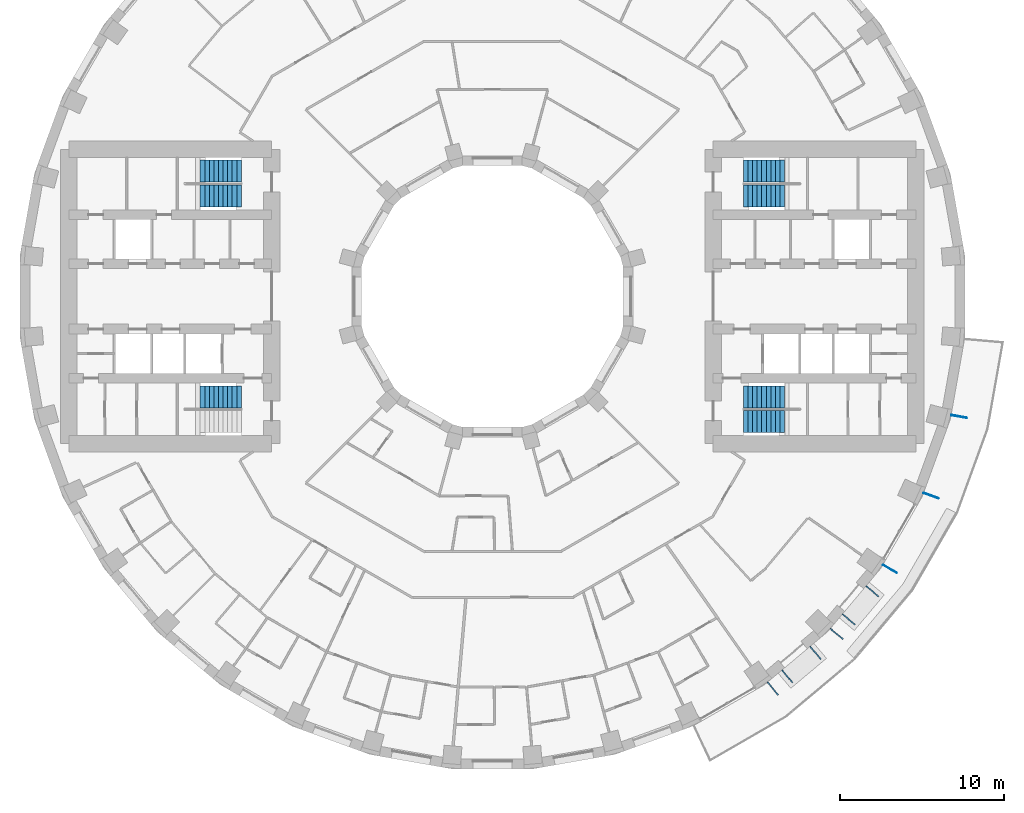
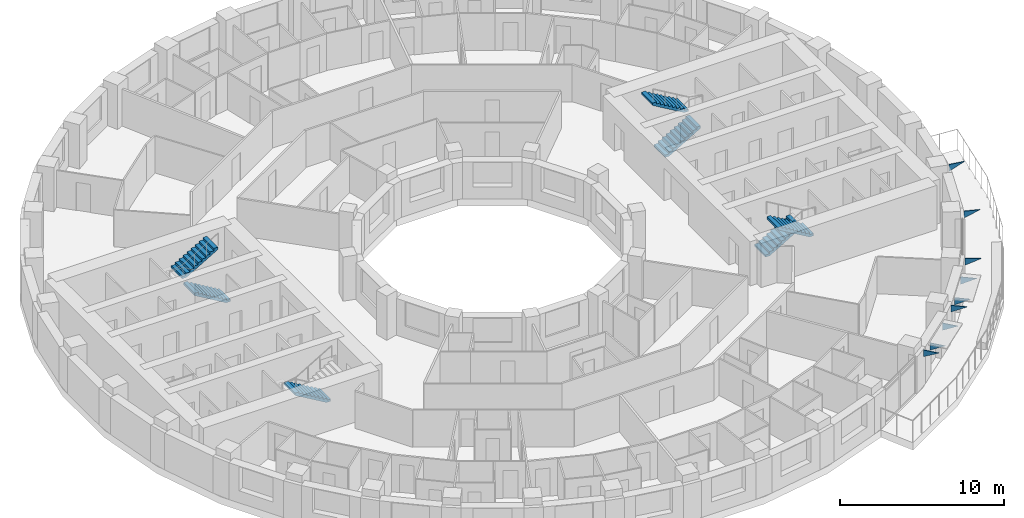
# One storey, part 14 of 15: 9 discrete accessories, 7 stair flights, 4 elements without a shape of their own.
"""IFC4 building model written with IfcOpenShell, lengths in metres."""

from ifc_helpers import new_model, si_unit, direction, frame, origin, place, context, subcontext, project, spatial, polyline, outline, extrude, material, layer, layer_set, type_object, element, aggregate, save


model = new_model("IFC4")

# Units and contexts
model_context = context("Model", 3, precision=1e-05, world=origin(), true_north=direction((0.0, 1.0)))
body_context = subcontext(model_context, "Body", "Model", "MODEL_VIEW")
ifc_project = project(units=[si_unit("LENGTHUNIT", "METRE"), si_unit("AREAUNIT", "SQUARE_METRE"), si_unit("VOLUMEUNIT", "CUBIC_METRE"), si_unit("PLANEANGLEUNIT", "RADIAN"), si_unit("MASSUNIT", "GRAM", prefix="KILO")], contexts=[model_context])

# Site, building, storey
site_placement = place(None, origin())
site = spatial("IfcSite", under=ifc_project, at=site_placement, CompositionType="ELEMENT")
building_placement = place(site_placement, origin())
building = spatial("IfcBuilding", under=site, at=building_placement, Name="Saqina Gate Tower", CompositionType="ELEMENT")
storey_placement = place(building_placement, frame((0.0, 0.0, 36.199951171875)))
storey = spatial("IfcBuildingStorey", under=building, at=storey_placement, Name="L09", CompositionType="ELEMENT", Elevation=36.199951171875)

# Stair, stair flights
ifc_material_1 = material(Name="Concrete C40/50", Category="concrete")
stair_type = type_object("IfcStairType", Name="EXIT STAIR", PredefinedType="HALF_TURN_STAIR", material=ifc_material_1)
stair_1_placement = place(storey_placement, origin())
stair_1 = element("IfcStair", 1, at=stair_1_placement, inside=storey, type_object=stair_type, Name="EXIT STAIR 1", PredefinedType="HALF_TURN_STAIR")
ifc_material_2 = material(Name="Concrete C40/50", Category="concrete")
stair_flight_type = type_object("IfcStairFlightType", Name="EXIT STAIR FLIGHT", PredefinedType="STRAIGHT", material=ifc_material_2)
stair_flight_1_placement = place(storey_placement, frame((15.35009765625, 6.1416015625, 0.0), z_axis=(0.0, 0.0, 1.0), x_axis=(1.0, 0.0, 0.0)))
stair_flight_1 = element("IfcStairFlight", 2, at=stair_flight_1_placement, type_object=stair_flight_type, Name="EXIT STAIR 1 FLIGHT 1", NumberOfRisers=10, NumberOfTreads=9, PredefinedType="STRAIGHT", RiserHeight=0.165, TreadLength=0.28, context=body_context, shape_type="SweptSolid", body=[
    extrude(outline(polyline([(0.0, 0.0), (0.0, 0.1650390625), (0.280029296875, 0.1650390625), (0.280029296875, 0.330078125), (0.56005859375, 0.330078125), (0.56005859375, 0.4951171875), (0.840087890625, 0.4951171875), (0.840087890625, 0.659912109375), (1.1201171875, 0.659912109375), (1.1201171875, 0.824951171875), (1.39990234375, 0.824951171875), (1.39990234375, 0.989990234375), (1.679931640625, 0.989990234375), (1.679931640625, 1.155029296875), (1.9599609375, 1.155029296875), (1.9599609375, 1.320068359375), (2.239990234375, 1.320068359375), (2.239990234375, 1.485107421875), (2.52001953125, 1.485107421875), (2.52001953125, 1.64990234375), (2.52001953125, 1.31103515625), (0.295166015625, 0.0), (0.0, 0.0)])), frame((0.0, 0.675048828125, 0.0), z_axis=(0.0, -1.0, 0.0), x_axis=(1.0, 0.0, 0.0)), (0.0, 0.0, 1.0), 1.35009765625),
])
stair_flight_2_placement = place(storey_placement, frame((17.8701171875, 7.658447265625, 1.650146484375), z_axis=(0.0, 0.0, 1.0), x_axis=(-1.0, 0.0, 0.0)))
stair_flight_2 = element("IfcStairFlight", 3, at=stair_flight_2_placement, type_object=stair_flight_type, Name="EXIT STAIR 1 FLIGHT 2", NumberOfRisers=10, NumberOfTreads=9, PredefinedType="STRAIGHT", RiserHeight=0.165, TreadLength=0.28, context=body_context, shape_type="SweptSolid", body=[
    extrude(outline(polyline([(0.0, 0.0), (0.0, 0.1650390625), (0.280029296875, 0.1650390625), (0.280029296875, 0.330078125), (0.56005859375, 0.330078125), (0.56005859375, 0.4951171875), (0.840087890625, 0.4951171875), (0.840087890625, 0.659912109375), (1.1201171875, 0.659912109375), (1.1201171875, 0.824951171875), (1.39990234375, 0.824951171875), (1.39990234375, 0.989990234375), (1.679931640625, 0.989990234375), (1.679931640625, 1.155029296875), (1.9599609375, 1.155029296875), (1.9599609375, 1.320068359375), (2.239990234375, 1.320068359375), (2.239990234375, 1.485107421875), (2.52001953125, 1.485107421875), (2.52001953125, 1.64990234375), (2.52001953125, 1.31103515625), (0.295166015625, 0.0), (0.0, 0.0)])), frame((0.0, 0.675048828125, 0.0), z_axis=(0.0, -1.0, 0.0), x_axis=(1.0, 0.0, 0.0)), (0.0, 0.0, 1.0), 1.35009765625),
])
aggregate(stair_1, [stair_flight_1, stair_flight_2])

stair_2_placement = place(storey_placement, origin())
stair_2 = element("IfcStair", 4, at=stair_2_placement, inside=storey, type_object=stair_type, Name="EXIT STAIR 2", PredefinedType="HALF_TURN_STAIR")
stair_flight_3_placement = place(storey_placement, frame((15.35009765625, -6.1416015625, 0.0), z_axis=(0.0, 0.0, 1.0), x_axis=(1.0, 0.0, 0.0)))
stair_flight_3 = element("IfcStairFlight", 5, at=stair_flight_3_placement, type_object=stair_flight_type, Name="EXIT STAIR 2 FLIGHT 1", NumberOfRisers=10, NumberOfTreads=9, PredefinedType="STRAIGHT", RiserHeight=0.165, TreadLength=0.28, context=body_context, shape_type="SweptSolid", body=[
    extrude(outline(polyline([(0.0, 0.0), (0.0, 0.1650390625), (0.280029296875, 0.1650390625), (0.280029296875, 0.330078125), (0.56005859375, 0.330078125), (0.56005859375, 0.4951171875), (0.840087890625, 0.4951171875), (0.840087890625, 0.659912109375), (1.1201171875, 0.659912109375), (1.1201171875, 0.824951171875), (1.39990234375, 0.824951171875), (1.39990234375, 0.989990234375), (1.679931640625, 0.989990234375), (1.679931640625, 1.155029296875), (1.9599609375, 1.155029296875), (1.9599609375, 1.320068359375), (2.239990234375, 1.320068359375), (2.239990234375, 1.485107421875), (2.52001953125, 1.485107421875), (2.52001953125, 1.64990234375), (2.52001953125, 1.31103515625), (0.295166015625, 0.0), (0.0, 0.0)])), frame((0.0, 0.675048828125, 0.0), z_axis=(0.0, -1.0, 0.0), x_axis=(1.0, 0.0, 0.0)), (0.0, 0.0, 1.0), 1.35009765625),
])
stair_flight_4_placement = place(storey_placement, frame((17.8701171875, -7.658447265625, 1.650146484375), z_axis=(0.0, 0.0, 1.0), x_axis=(-1.0, 0.0, 0.0)))
stair_flight_4 = element("IfcStairFlight", 6, at=stair_flight_4_placement, type_object=stair_flight_type, Name="EXIT STAIR 2 FLIGHT 2", NumberOfRisers=10, NumberOfTreads=9, PredefinedType="STRAIGHT", RiserHeight=0.165, TreadLength=0.28, context=body_context, shape_type="SweptSolid", body=[
    extrude(outline(polyline([(0.0, 0.0), (0.0, 0.1650390625), (0.280029296875, 0.1650390625), (0.280029296875, 0.330078125), (0.56005859375, 0.330078125), (0.56005859375, 0.4951171875), (0.840087890625, 0.4951171875), (0.840087890625, 0.659912109375), (1.1201171875, 0.659912109375), (1.1201171875, 0.824951171875), (1.39990234375, 0.824951171875), (1.39990234375, 0.989990234375), (1.679931640625, 0.989990234375), (1.679931640625, 1.155029296875), (1.9599609375, 1.155029296875), (1.9599609375, 1.320068359375), (2.239990234375, 1.320068359375), (2.239990234375, 1.485107421875), (2.52001953125, 1.485107421875), (2.52001953125, 1.64990234375), (2.52001953125, 1.31103515625), (0.295166015625, 0.0), (0.0, 0.0)])), frame((0.0, 0.675048828125, 0.0), z_axis=(0.0, -1.0, 0.0), x_axis=(1.0, 0.0, 0.0)), (0.0, 0.0, 1.0), 1.35009765625),
])
aggregate(stair_2, [stair_flight_3, stair_flight_4])

stair_3_placement = place(storey_placement, origin())
stair_3 = element("IfcStair", 7, at=stair_3_placement, inside=storey, type_object=stair_type, Name="EXIT STAIR 3", PredefinedType="HALF_TURN_STAIR")
stair_flight_5_placement = place(storey_placement, frame((-15.35009765625, 6.1416015625, 0.0), z_axis=(0.0, 0.0, 1.0), x_axis=(-1.0, 0.0, 0.0)))
stair_flight_5 = element("IfcStairFlight", 8, at=stair_flight_5_placement, type_object=stair_flight_type, Name="EXIT STAIR 3 FLIGHT 1", NumberOfRisers=10, NumberOfTreads=9, PredefinedType="STRAIGHT", RiserHeight=0.165, TreadLength=0.28, context=body_context, shape_type="SweptSolid", body=[
    extrude(outline(polyline([(0.0, 0.0), (0.0, 0.1650390625), (0.280029296875, 0.1650390625), (0.280029296875, 0.330078125), (0.56005859375, 0.330078125), (0.56005859375, 0.4951171875), (0.840087890625, 0.4951171875), (0.840087890625, 0.659912109375), (1.1201171875, 0.659912109375), (1.1201171875, 0.824951171875), (1.39990234375, 0.824951171875), (1.39990234375, 0.989990234375), (1.679931640625, 0.989990234375), (1.679931640625, 1.155029296875), (1.9599609375, 1.155029296875), (1.9599609375, 1.320068359375), (2.239990234375, 1.320068359375), (2.239990234375, 1.485107421875), (2.52001953125, 1.485107421875), (2.52001953125, 1.64990234375), (2.52001953125, 1.31103515625), (0.295166015625, 0.0), (0.0, 0.0)])), frame((0.0, 0.675048828125, 0.0), z_axis=(0.0, -1.0, 0.0), x_axis=(1.0, 0.0, 0.0)), (0.0, 0.0, 1.0), 1.35009765625),
])
stair_flight_6_placement = place(storey_placement, frame((-17.8701171875, 7.658447265625, 1.650146484375), z_axis=(0.0, 0.0, 1.0), x_axis=(1.0, 0.0, 0.0)))
stair_flight_6 = element("IfcStairFlight", 9, at=stair_flight_6_placement, type_object=stair_flight_type, Name="EXIT STAIR 3 FLIGHT 2", NumberOfRisers=10, NumberOfTreads=9, PredefinedType="STRAIGHT", RiserHeight=0.165, TreadLength=0.28, context=body_context, shape_type="SweptSolid", body=[
    extrude(outline(polyline([(0.0, 0.0), (0.0, 0.1650390625), (0.280029296875, 0.1650390625), (0.280029296875, 0.330078125), (0.56005859375, 0.330078125), (0.56005859375, 0.4951171875), (0.840087890625, 0.4951171875), (0.840087890625, 0.659912109375), (1.1201171875, 0.659912109375), (1.1201171875, 0.824951171875), (1.39990234375, 0.824951171875), (1.39990234375, 0.989990234375), (1.679931640625, 0.989990234375), (1.679931640625, 1.155029296875), (1.9599609375, 1.155029296875), (1.9599609375, 1.320068359375), (2.239990234375, 1.320068359375), (2.239990234375, 1.485107421875), (2.52001953125, 1.485107421875), (2.52001953125, 1.64990234375), (2.52001953125, 1.31103515625), (0.295166015625, 0.0), (0.0, 0.0)])), frame((0.0, 0.675048828125, 0.0), z_axis=(0.0, -1.0, 0.0), x_axis=(1.0, 0.0, 0.0)), (0.0, 0.0, 1.0), 1.35009765625),
])
aggregate(stair_3, [stair_flight_5, stair_flight_6])

# Stair, stair flight
stair_4_placement = place(storey_placement, origin())
stair_4 = element("IfcStair", 10, at=stair_4_placement, inside=storey, type_object=stair_type, Name="EXIT STAIR 4", PredefinedType="HALF_TURN_STAIR")
stair_flight_7_placement = place(storey_placement, frame((-15.35009765625, -6.1416015625, 0.0), z_axis=(0.0, 0.0, 1.0), x_axis=(-1.0, 0.0, 0.0)))
stair_flight_7 = element("IfcStairFlight", 11, at=stair_flight_7_placement, type_object=stair_flight_type, Name="EXIT STAIR 4 FLIGHT 1", NumberOfRisers=10, NumberOfTreads=9, PredefinedType="STRAIGHT", RiserHeight=0.165, TreadLength=0.28, context=body_context, shape_type="SweptSolid", body=[
    extrude(outline(polyline([(0.0, 0.0), (0.0, 0.1650390625), (0.280029296875, 0.1650390625), (0.280029296875, 0.330078125), (0.56005859375, 0.330078125), (0.56005859375, 0.4951171875), (0.840087890625, 0.4951171875), (0.840087890625, 0.659912109375), (1.1201171875, 0.659912109375), (1.1201171875, 0.824951171875), (1.39990234375, 0.824951171875), (1.39990234375, 0.989990234375), (1.679931640625, 0.989990234375), (1.679931640625, 1.155029296875), (1.9599609375, 1.155029296875), (1.9599609375, 1.320068359375), (2.239990234375, 1.320068359375), (2.239990234375, 1.485107421875), (2.52001953125, 1.485107421875), (2.52001953125, 1.64990234375), (2.52001953125, 1.31103515625), (0.295166015625, 0.0), (0.0, 0.0)])), frame((0.0, 0.675048828125, 0.0), z_axis=(0.0, -1.0, 0.0), x_axis=(1.0, 0.0, 0.0)), (0.0, 0.0, 1.0), 1.35009765625),
])
aggregate(stair_4, [stair_flight_7])

# Discrete accessories
ifc_material_3 = material(Name="Galvanised steel", Category="steel")
ifc_layer_1 = layer(ifc_material_3, 0.050048828125)
ifc_layer_set_1 = layer_set([ifc_layer_1], Name="BR-AWNING")
discrete_accessory_type_1 = type_object("IfcDiscreteAccessoryType", Name="BR-AWNING", PredefinedType="BRACKET", material=ifc_layer_set_1)
for number, where, z_axis, x_axis, name in (
    (12, (17.728759765625, -22.83642578125, 1.97509765625), (0.766055819685, 0.64277405138, 0.0), (0.0, 0.0, 1.0), "Awning bracket L09 facet 31"),
    (13, (19.44921875, -21.392822265625, 1.97509765625), (0.766055819685, 0.64277405138, 0.0), (0.0, 0.0, 1.0), "Awning bracket L09 facet 31"),
    (14, (21.425048828125, -19.410888671875, 1.97509765625), (0.64277405138, 0.766055819685, 0.0), (0.0, 0.0, 1.0), "Awning bracket L09 facet 32"),
    (15, (22.86865234375, -17.6904296875, 1.97509765625), (0.64277405138, 0.766055819685, 0.0), (0.0, 0.0, 1.0), "Awning bracket L09 facet 32"),
):
    element("IfcDiscreteAccessory", number, at=place(storey_placement, frame(where, z_axis=z_axis, x_axis=x_axis)), inside=storey, type_object=discrete_accessory_type_1, Name=name, PredefinedType="BRACKET", context=body_context, shape_type="SweptSolid", body=[
        extrude(outline(polyline([(0.0, 0.0), (0.550048828125, 0.0), (0.550048828125, 1.0000750096322273), (0.0, 0.0)])), origin(), (0.0, 0.0, -1.0), 0.050048828125),
    ])
ifc_material_4 = material(Name="Galvanised steel", Category="steel")
ifc_layer_2 = layer(ifc_material_4, 0.050048828125)
ifc_layer_set_2 = layer_set([ifc_layer_2], Name="BR-GUSSET")
discrete_accessory_type_2 = type_object("IfcDiscreteAccessoryType", Name="BR-GUSSET", PredefinedType="BRACKET", material=ifc_layer_set_2)
for number, where, z_axis, x_axis, name in (
    (16, (16.844482421875, -23.57861328125, 2.25), (0.766055819685, 0.64277405138, 0.0), (0.0, 0.0, 1.0), "Terrace slab bracket L10 1"),
    (17, (20.682861328125, -20.29541015625, 2.25), (0.64277405138, 0.766055819685, 0.0), (0.0, 0.0, 1.0), "Terrace slab bracket L10 2"),
):
    element("IfcDiscreteAccessory", number, at=place(storey_placement, frame(where, z_axis=z_axis, x_axis=x_axis)), inside=storey, type_object=discrete_accessory_type_2, Name=name, PredefinedType="BRACKET", context=body_context, shape_type="SweptSolid", body=[
        extrude(outline(polyline([(0.0, 0.0), (0.5, 0.0), (0.5, 1.0000750096322275), (0.0, 0.0)])), origin(), (0.0, 0.0, -1.0), 0.050048828125),
    ])
discrete_accessory_1_placement = place(storey_placement, frame((23.892822265625, -16.3955078125, 2.25), z_axis=(0.50002537861, 0.866010750942, 0.0), x_axis=(0.0, 0.0, 1.0)))
element("IfcDiscreteAccessory", 18, at=discrete_accessory_1_placement, inside=storey, type_object=discrete_accessory_type_2, Name="Terrace slab bracket L10 3", PredefinedType="BRACKET", context=body_context, shape_type="SweptSolid", body=[
    extrude(outline(polyline([(0.0, 0.0), (0.5, 0.0), (0.5, 0.9999492453569568), (0.0, 0.0)])), origin(), (0.0, 0.0, -1.0), 0.050048828125),
])
discrete_accessory_2_placement = place(storey_placement, frame((26.376953125, -11.99755859375, 2.25), z_axis=(0.342037080957, 0.939686455819, 0.0), x_axis=(0.0, 0.0, 1.0)))
element("IfcDiscreteAccessory", 19, at=discrete_accessory_2_placement, inside=storey, type_object=discrete_accessory_type_2, Name="Terrace slab bracket L10 4", PredefinedType="BRACKET", context=body_context, shape_type="SweptSolid", body=[
    extrude(outline(polyline([(0.0, 0.0), (0.5, 0.0), (0.5, 1.000011503630275), (0.0, 0.0)])), origin(), (0.0, 0.0, -1.0), 0.050048828125),
])
discrete_accessory_3_placement = place(storey_placement, frame((28.0595703125, -7.23486328125, 2.25), z_axis=(0.173813186416, 0.984778643263, 0.0), x_axis=(0.0, 0.0, 1.0)))
element("IfcDiscreteAccessory", 20, at=discrete_accessory_3_placement, inside=storey, type_object=discrete_accessory_type_2, Name="Terrace slab bracket L10 5", PredefinedType="BRACKET", context=body_context, shape_type="SweptSolid", body=[
    extrude(outline(polyline([(0.0, 0.0), (0.5, 0.0), (0.5, 1.000085946204391), (0.0, 0.0)])), origin(), (0.0, 0.0, -1.0), 0.050048828125),
])

save(model, "model.ifc")
